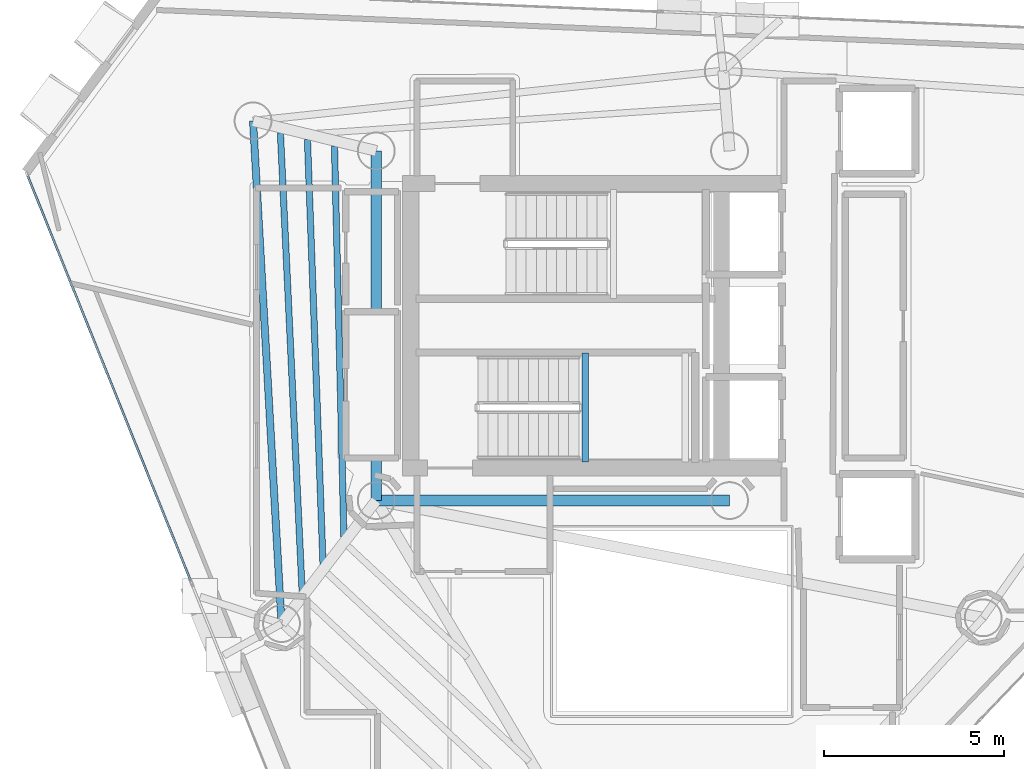
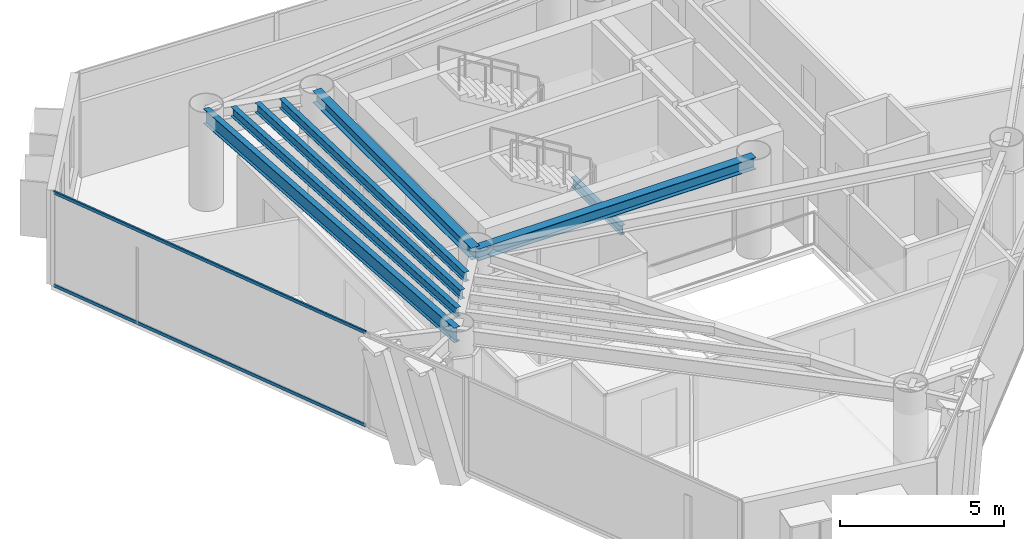
# One storey, part 7 of 21: 7 beams, 2 members, 1 element without a shape of its own.
"""IFC4 building model written with IfcOpenShell, lengths in metres."""

from ifc_helpers import new_model, si_unit, direction, frame, origin, origin_2d, place, context, subcontext, project, spatial, hollow_rectangle, i_section, extrude, material, layer, layer_set, material_profile, profile_set, type_object, element, aggregate, save


model = new_model("IFC4")

# Units and contexts
model_context = context("Model", 3, precision=1e-05, world=origin(), true_north=direction((0.0, 1.0)))
body_context = subcontext(model_context, "Body", "Model", "MODEL_VIEW")
ifc_project = project(units=[si_unit("LENGTHUNIT", "METRE"), si_unit("AREAUNIT", "SQUARE_METRE"), si_unit("VOLUMEUNIT", "CUBIC_METRE"), si_unit("PLANEANGLEUNIT", "RADIAN"), si_unit("MASSUNIT", "GRAM", prefix="KILO")], contexts=[model_context])

# Site, building, storey
site_placement = place(None, origin())
site = spatial("IfcSite", under=ifc_project, at=site_placement, CompositionType="ELEMENT")
building_placement = place(site_placement, origin())
building = spatial("IfcBuilding", under=site, at=building_placement, Name="Qianvela Tower", CompositionType="ELEMENT")
storey_placement = place(building_placement, frame((0.0, 0.0, 242.699951171875)))
storey = spatial("IfcBuildingStorey", under=building, at=storey_placement, Name="L62", CompositionType="ELEMENT", Elevation=242.699951171875)

# Beams
ifc_material_1 = material(Name="Steel Q355B", Category="steel")
ifc_material_profile_1 = material_profile(ifc_material_1, i_section(OverallWidth=0.300048828125, OverallDepth=0.43994140625, WebThickness=0.010986328125, FlangeThickness=0.01806640625, at=origin_2d()), Name="HM440x300x11x18")
ifc_profile_set_1 = profile_set([ifc_material_profile_1], Name="Steel Q355B")
beam_type_1 = type_object("IfcBeamType", Name="BM-HM440-COLL", PredefinedType="BEAM", material=ifc_profile_set_1)
beam_1_placement = place(storey_placement, frame((28.60009765625, 23.85009765625, 3.298095703125), z_axis=(1.0, 0.0, 0.0), x_axis=(0.0, 1.0, 0.0)))
element("IfcBeam", 1, at=beam_1_placement, inside=storey, type_object=beam_type_1, Name="L62 Core Ring Collector Girder CC1", PredefinedType="BEAM", context=body_context, shape_type="SweptSolid", body=[
    extrude(i_section(OverallWidth=0.300048828125, OverallDepth=0.43994140625, WebThickness=0.010986328125, FlangeThickness=0.01806640625, at=origin_2d()), origin(), (0.0, 0.0, 1.0), 9.7998046875),
])
beam_2_placement = place(storey_placement, frame((28.60009765625, 33.550048828125, 3.298095703125), z_axis=(0.0, -1.0, 0.0), x_axis=(1.0, 0.0, 0.0)))
element("IfcBeam", 2, at=beam_2_placement, inside=storey, type_object=beam_type_1, Name="L62 Core Ring Collector Girder CC2", PredefinedType="BEAM", context=body_context, shape_type="SweptSolid", body=[
    extrude(i_section(OverallWidth=0.300048828125, OverallDepth=0.43994140625, WebThickness=0.010986328125, FlangeThickness=0.01806640625, at=origin_2d()), origin(), (0.0, 0.0, 1.0), 9.699951171875),
])
ifc_material_2 = material(Name="Steel Q355B", Category="steel")
ifc_material_profile_2 = material_profile(ifc_material_2, i_section(OverallWidth=0.175048828125, OverallDepth=0.35009765625, WebThickness=0.007080078125, FlangeThickness=0.010986328125, at=origin_2d()), Name="HN350x175x7x11")
ifc_profile_set_2 = profile_set([ifc_material_profile_2], Name="Steel Q355B")
beam_type_2 = type_object("IfcBeamType", Name="BM-HN350-JOIST", PredefinedType="JOIST", material=ifc_profile_set_2)
beam_3_placement = place(storey_placement, frame((27.44140625, 33.6875, 3.343017578125), z_axis=(0.024087497273, -0.999709854145, 0.0), x_axis=(0.999709854145, 0.024087497273, 0.0)))
element("IfcBeam", 3, at=beam_3_placement, inside=storey, type_object=beam_type_2, Name="L62 Secondary Composite Floor Joist 3.1", PredefinedType="JOIST", context=body_context, shape_type="SweptSolid", body=[
    extrude(i_section(OverallWidth=0.175048828125, OverallDepth=0.35009765625, WebThickness=0.007080078125, FlangeThickness=0.010986328125, at=origin_2d()), origin(), (0.0, 0.0, 1.0), 10.855224609375),
])
beam_4_placement = place(storey_placement, frame((26.69140625, 33.87109375, 3.343017578125), z_axis=(0.036597460417, -0.999330088555, 0.0), x_axis=(0.999330088555, 0.036597460417, 0.0)))
element("IfcBeam", 4, at=beam_4_placement, inside=storey, type_object=beam_type_2, Name="L62 Secondary Composite Floor Joist 3.2", PredefinedType="JOIST", context=body_context, shape_type="SweptSolid", body=[
    extrude(i_section(OverallWidth=0.175048828125, OverallDepth=0.35009765625, WebThickness=0.007080078125, FlangeThickness=0.010986328125, at=origin_2d()), origin(), (0.0, 0.0, 1.0), 11.794189453125),
])
beam_5_placement = place(storey_placement, frame((25.94091796875, 34.0546875, 3.343017578125), z_axis=(0.04729372403, -0.998881025782, 0.0), x_axis=(0.998881025782, 0.04729372403, 0.0)))
element("IfcBeam", 5, at=beam_5_placement, inside=storey, type_object=beam_type_2, Name="L62 Secondary Composite Floor Joist 3.3", PredefinedType="JOIST", context=body_context, shape_type="SweptSolid", body=[
    extrude(i_section(OverallWidth=0.175048828125, OverallDepth=0.35009765625, WebThickness=0.007080078125, FlangeThickness=0.010986328125, at=origin_2d()), origin(), (0.0, 0.0, 1.0), 12.735107421875),
])
beam_6_placement = place(storey_placement, frame((34.39990234375, 24.919921875, 1.47509765625), z_axis=(0.0, 1.0, 0.0), x_axis=(-1.0, 0.0, 0.0)))
element("IfcBeam", 6, at=beam_6_placement, inside=storey, type_object=beam_type_2, Name="L62 Stair ST-2 Landing Support Beam 1.1", PredefinedType="JOIST", context=body_context, shape_type="SweptSolid", body=[
    extrude(i_section(OverallWidth=0.175048828125, OverallDepth=0.35009765625, WebThickness=0.007080078125, FlangeThickness=0.010986328125, at=origin_2d()), origin(), (0.0, 0.0, 1.0), 3.02001953125),
])
ifc_material_3 = material(Name="Steel Q355B", Category="steel")
ifc_material_profile_3 = material_profile(ifc_material_3, i_section(OverallWidth=0.199951171875, OverallDepth=0.550048828125, WebThickness=0.010009765625, FlangeThickness=0.01611328125, at=origin_2d()), Name="HN550x200x10x16")
ifc_profile_set_3 = profile_set([ifc_material_profile_3], Name="Steel Q355B")
beam_type_3 = type_object("IfcBeamType", Name="BM-HN550-GIRD", PredefinedType="BEAM", material=ifc_profile_set_3)
beam_7_placement = place(storey_placement, frame((25.181884765625, 34.384033203125, 3.2431640625), z_axis=(0.056555056691, -0.998399481952, 0.0), x_axis=(0.998399481952, 0.056555056691, 0.0)))
element("IfcBeam", 7, at=beam_7_placement, inside=storey, type_object=beam_type_3, Name="L62 Perimeter Ring Spandrel Girder 3", PredefinedType="BEAM", context=body_context, shape_type="SweptSolid", body=[
    extrude(i_section(OverallWidth=0.199951171875, OverallDepth=0.550048828125, WebThickness=0.010009765625, FlangeThickness=0.01611328125, at=origin_2d()), origin(), (0.0, 0.0, 1.0), 13.969482421875),
])

# Curtain wall, members
ifc_material_4 = material(Name="Anodised Architectural Aluminium and Low-E Glass", Category="aluminium")
ifc_layer = layer(ifc_material_4, 0.159912109375)
ifc_layer_set = layer_set([ifc_layer], Name="Anodised Architectural Aluminium and Low-E Glass")
curtain_wall_type = type_object("IfcCurtainWallType", Name="CW-COLIV-Z56", PredefinedType="USERDEFINED", material=ifc_layer_set)
curtain_wall_placement = place(storey_placement, origin())
curtain_wall = element("IfcCurtainWall", 8, at=curtain_wall_placement, inside=storey, type_object=curtain_wall_type, Name="L62 CW-COLIV-Z56 Curtain Wall 04A", ObjectType="CURTAIN_WALL_SYSTEM", PredefinedType="USERDEFINED")
ifc_material_5 = material(Name="Anodised Architectural Aluminium 6063-T6", Category="aluminium")
ifc_material_profile_4 = material_profile(ifc_material_5, hollow_rectangle(XDim=0.06005859375, YDim=0.114990234375, WallThickness=0.00390625, at=origin_2d()), Name="ALU-TRAN-60x115")
ifc_profile_set_4 = profile_set([ifc_material_profile_4], Name="Anodised Architectural Aluminium 6063-T6")
member_type = type_object("IfcMemberType", Name="CW-COLIV-Z56-TRAN", PredefinedType="USERDEFINED", material=ifc_profile_set_4)
member_1_placement = place(storey_placement, frame((18.929931640625, 32.85888671875, 0.030029296875), z_axis=(0.373317139437, -0.927703785377, 0.0), x_axis=(0.927703785377, 0.373317139437, 0.0)))
member_1 = element("IfcMember", 9, at=member_1_placement, type_object=member_type, Name="CW-5 transom 1.1", ObjectType="TRANSOM", PredefinedType="USERDEFINED", context=body_context, shape_type="SweptSolid", body=[
    extrude(hollow_rectangle(XDim=0.06005859375, YDim=0.114990234375, WallThickness=0.00390625, at=origin_2d()), origin(), (0.0, 0.0, 1.0), 12.099853515625),
])
member_2_placement = place(storey_placement, frame((18.929931640625, 32.85888671875, 3.489990234375), z_axis=(0.373317139437, -0.927703785377, 0.0), x_axis=(0.927703785377, 0.373317139437, 0.0)))
member_2 = element("IfcMember", 10, at=member_2_placement, type_object=member_type, Name="CW-5 transom 1.2", ObjectType="TRANSOM", PredefinedType="USERDEFINED", context=body_context, shape_type="SweptSolid", body=[
    extrude(hollow_rectangle(XDim=0.06005859375, YDim=0.114990234375, WallThickness=0.00390625, at=origin_2d()), origin(), (0.0, 0.0, 1.0), 12.099853515625),
])
aggregate(curtain_wall, [member_1, member_2])

save(model, "model.ifc")
